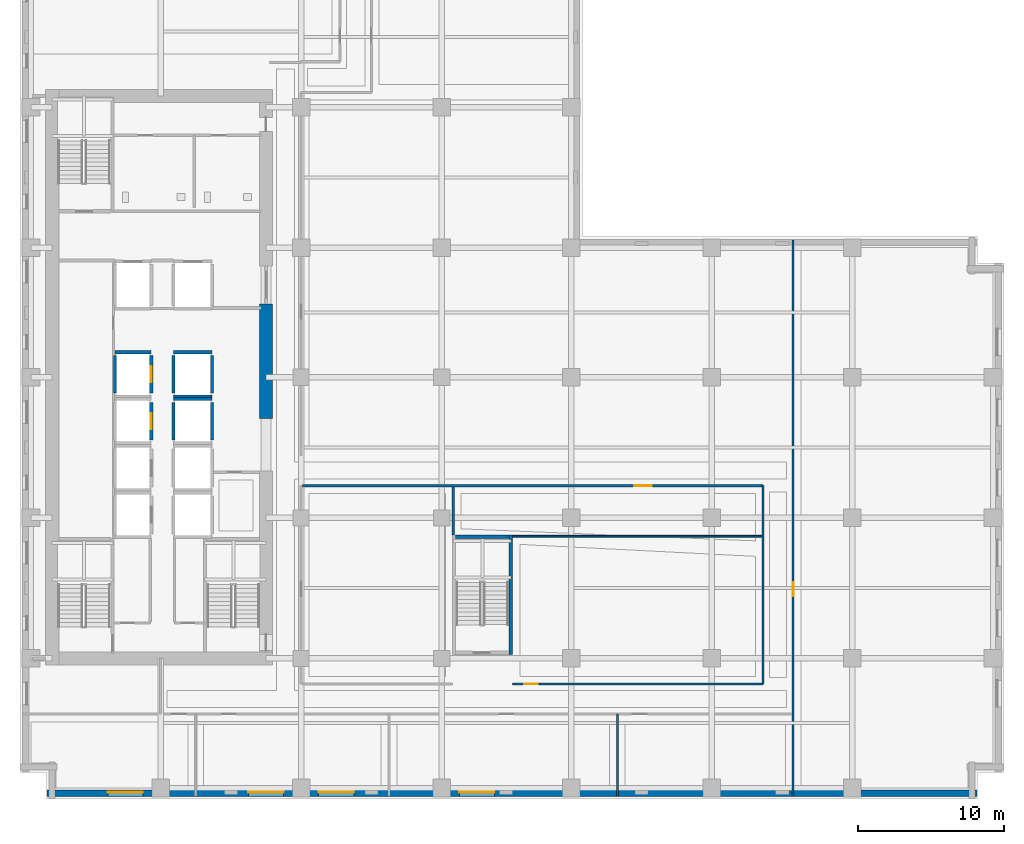
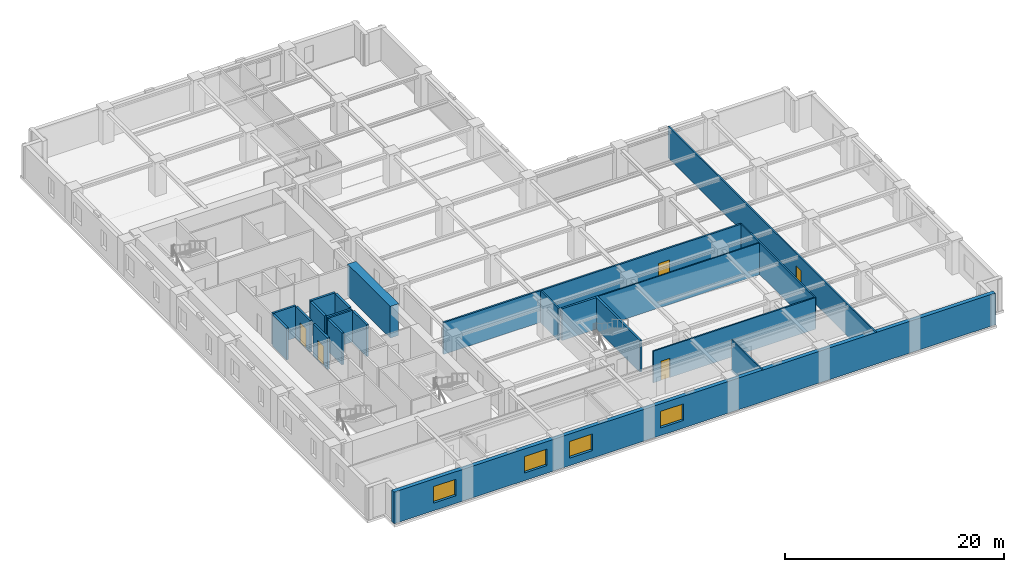
# One storey, part 5 of 13: 22 walls, 5 doors, 4 windows, 9 openings.
"""IFC4 building model written with IfcOpenShell, lengths in metres."""

from ifc_helpers import new_model, si_unit, direction, frame, frame_2d, origin, place, context, subcontext, project, spatial, rectangle, extrude, material, layer, layer_set, type_object, element, fill, save


model = new_model("IFC4")

# Units and contexts
model_context = context("Model", 3, precision=1e-05, world=origin(), true_north=direction((0.0, 1.0)))
body_context = subcontext(model_context, "Body", "Model", "MODEL_VIEW")
ifc_project = project(units=[si_unit("LENGTHUNIT", "METRE"), si_unit("AREAUNIT", "SQUARE_METRE"), si_unit("VOLUMEUNIT", "CUBIC_METRE"), si_unit("PLANEANGLEUNIT", "RADIAN"), si_unit("MASSUNIT", "GRAM", prefix="KILO")], contexts=[model_context])

# Site, building, storey
site_placement = place(None, origin())
site = spatial("IfcSite", under=ifc_project, at=site_placement, CompositionType="ELEMENT")
building_placement = place(site_placement, origin())
building = spatial("IfcBuilding", under=site, at=building_placement, Name="Norrvale University Quadrangle", CompositionType="ELEMENT")
storey_placement = place(building_placement, frame((0.0, 0.0, 43.199951171875)))
storey = spatial("IfcBuildingStorey", under=building, at=storey_placement, Name="L10", CompositionType="ELEMENT", Elevation=43.199951171875)

# Wall, openings, windows
ifc_material_1 = material(Name="Buff Norman Clay Brick Masonry", Category="masonry")
ifc_layer_1 = layer(ifc_material_1, 0.419921875, Name="Buff Norman Clay Brick Masonry")
ifc_layer_set_1 = layer_set([ifc_layer_1], Name="Buff Norman Clay Brick Masonry")
wall_type_1 = type_object("IfcWallType", Name="Wall Buff Brick 420", PredefinedType="SOLIDWALL", material=ifc_layer_set_1)
wall_1_placement = place(storey_placement, frame((1.840087890625, 0.389892578125, 0.0), z_axis=(0.0, 0.0, 1.0), x_axis=(1.0, 0.0, 0.0)))
wall_1 = element("IfcWall", 1, at=wall_1_placement, inside=storey, type_object=wall_type_1, Name="Exterior Brick Facade Wall L10-01.1", PredefinedType="SOLIDWALL", context=body_context, shape_type="SweptSolid", body=[
    extrude(rectangle(XDim=63.52001953125, YDim=0.419921875, at=frame_2d((31.760009765625, 0.0))), origin(), (0.0, 0.0, 1.0), 3.5400390625),
])
opening_1_placement = place(wall_1_placement, frame((4.159912109375, 0.0, 0.85009765625)))
opening_1 = element("IfcOpeningElement", 2, at=opening_1_placement, cuts=wall_1, Name="Opening W02", PredefinedType="OPENING", context=body_context, shape_type="SweptSolid", body=[
    extrude(rectangle(XDim=2.39990234375, YDim=1.85009765625, at=frame_2d((1.199951171875, 0.925048828125))), frame((0.0, 0.221923828125, 0.0), z_axis=(0.0, -1.0, 0.0), x_axis=(1.0, 0.0, 0.0)), (0.0, 0.0, 1.0), 0.44384765625),
])
opening_2_placement = place(wall_1_placement, frame((13.760009765625, 0.0, 0.85009765625)))
opening_2 = element("IfcOpeningElement", 3, at=opening_2_placement, cuts=wall_1, Name="Opening W02", PredefinedType="OPENING", context=body_context, shape_type="SweptSolid", body=[
    extrude(rectangle(XDim=2.39990234375, YDim=1.85009765625, at=frame_2d((1.199951171875, 0.925048828125))), frame((0.0, 0.221923828125, 0.0), z_axis=(0.0, -1.0, 0.0), x_axis=(1.0, 0.0, 0.0)), (0.0, 0.0, 1.0), 0.44384765625),
])
opening_3_placement = place(wall_1_placement, frame((18.56005859375, 0.0, 0.85009765625)))
opening_3 = element("IfcOpeningElement", 4, at=opening_3_placement, cuts=wall_1, Name="Opening W02", PredefinedType="OPENING", context=body_context, shape_type="SweptSolid", body=[
    extrude(rectangle(XDim=2.39990234375, YDim=1.85009765625, at=frame_2d((1.199951171875, 0.925048828125))), frame((0.0, 0.221923828125, 0.0), z_axis=(0.0, -1.0, 0.0), x_axis=(1.0, 0.0, 0.0)), (0.0, 0.0, 1.0), 0.44384765625),
])
opening_4_placement = place(wall_1_placement, frame((28.159912109375, 0.0, 0.85009765625)))
opening_4 = element("IfcOpeningElement", 5, at=opening_4_placement, cuts=wall_1, Name="Opening W02", PredefinedType="OPENING", context=body_context, shape_type="SweptSolid", body=[
    extrude(rectangle(XDim=2.39990234375, YDim=1.85009765625, at=frame_2d((1.199951171875, 0.925048828125))), frame((0.0, 0.221923828125, 0.0), z_axis=(0.0, -1.0, 0.0), x_axis=(1.0, 0.0, 0.0)), (0.0, 0.0, 1.0), 0.44384765625),
])
ifc_material_2 = material(Name="Triple Low-E Argon Glazing", Category="glass")
window_type = type_object("IfcWindowType", Name="Window Academic 2400x2300", PartitioningType="TRIPLE_PANEL_VERTICAL", PredefinedType="WINDOW", material=ifc_material_2)
window_1_placement = place(opening_1_placement, origin())
window_1 = element("IfcWindow", 6, at=window_1_placement, inside=storey, type_object=window_type, Name="Window Academic 2400x2300 WIN-L10-E01-1-01", OverallHeight=1.85009765625, OverallWidth=2.39990234375, PartitioningType="TRIPLE_PANEL_VERTICAL", PredefinedType="WINDOW", context=body_context, shape_type="SweptSolid", body=[
    extrude(rectangle(XDim=2.39990234375, YDim=1.85009765625, at=frame_2d((1.199951171875, 0.925048828125))), frame((0.0, 0.110107421875, 0.0), z_axis=(0.0, -1.0, 0.0), x_axis=(1.0, 0.0, 0.0)), (0.0, 0.0, 1.0), 0.06005859375),
])
fill(opening_1, window_1)
window_2_placement = place(opening_2_placement, origin())
window_2 = element("IfcWindow", 7, at=window_2_placement, inside=storey, type_object=window_type, Name="Window Academic 2400x2300 WIN-L10-E01-1-02", OverallHeight=1.85009765625, OverallWidth=2.39990234375, PartitioningType="TRIPLE_PANEL_VERTICAL", PredefinedType="WINDOW", context=body_context, shape_type="SweptSolid", body=[
    extrude(rectangle(XDim=2.39990234375, YDim=1.85009765625, at=frame_2d((1.199951171875, 0.925048828125))), frame((0.0, 0.110107421875, 0.0), z_axis=(0.0, -1.0, 0.0), x_axis=(1.0, 0.0, 0.0)), (0.0, 0.0, 1.0), 0.06005859375),
])
fill(opening_2, window_2)
window_3_placement = place(opening_3_placement, origin())
window_3 = element("IfcWindow", 8, at=window_3_placement, inside=storey, type_object=window_type, Name="Window Academic 2400x2300 WIN-L10-E01-1-03", OverallHeight=1.85009765625, OverallWidth=2.39990234375, PartitioningType="TRIPLE_PANEL_VERTICAL", PredefinedType="WINDOW", context=body_context, shape_type="SweptSolid", body=[
    extrude(rectangle(XDim=2.39990234375, YDim=1.85009765625, at=frame_2d((1.199951171875, 0.925048828125))), frame((0.0, 0.110107421875, 0.0), z_axis=(0.0, -1.0, 0.0), x_axis=(1.0, 0.0, 0.0)), (0.0, 0.0, 1.0), 0.06005859375),
])
fill(opening_3, window_3)
window_4_placement = place(opening_4_placement, origin())
window_4 = element("IfcWindow", 9, at=window_4_placement, inside=storey, type_object=window_type, Name="Window Academic 2400x2300 WIN-L10-E01-1-04", OverallHeight=1.85009765625, OverallWidth=2.39990234375, PartitioningType="TRIPLE_PANEL_VERTICAL", PredefinedType="WINDOW", context=body_context, shape_type="SweptSolid", body=[
    extrude(rectangle(XDim=2.39990234375, YDim=1.85009765625, at=frame_2d((1.199951171875, 0.925048828125))), frame((0.0, 0.110107421875, 0.0), z_axis=(0.0, -1.0, 0.0), x_axis=(1.0, 0.0, 0.0)), (0.0, 0.0, 1.0), 0.06005859375),
])
fill(opening_4, window_4)

# Walls
ifc_material_3 = material(Name="Concrete C80/95", Category="concrete")
ifc_layer_2 = layer(ifc_material_3, 0.89990234375, Name="Concrete C80/95")
ifc_layer_set_2 = layer_set([ifc_layer_2], Name="Concrete C80/95")
wall_type_2 = type_object("IfcWallType", Name="Wall Core 900", PredefinedType="SHEAR", material=ifc_layer_set_2)
wall_2_placement = place(storey_placement, frame((16.800048828125, 26.0, 0.0), z_axis=(0.0, 0.0, 1.0), x_axis=(0.0, 1.0, 0.0)))
element("IfcWall", 10, at=wall_2_placement, inside=storey, type_object=wall_type_2, Name="Tower Core Shear Wall L10-E2", PredefinedType="SHEAR", context=body_context, shape_type="SweptSolid", body=[
    extrude(rectangle(XDim=7.800048828125, YDim=0.89990234375, at=frame_2d((3.89990234375, 0.0))), origin(), (0.0, 0.0, 1.0), 3.5400390625),
])
ifc_material_4 = material(Name="Standard Academic Gypsum Partition")
ifc_layer_3 = layer(ifc_material_4, 0.125, Name="Standard Academic Gypsum Partition")
ifc_layer_set_3 = layer_set([ifc_layer_3], Name="Standard Academic Gypsum Partition")
wall_type_3 = type_object("IfcWallType", Name="Wall Gypsum Academic 125", PredefinedType="PARTITIONING", material=ifc_layer_set_3)
wall_3_placement = place(storey_placement, frame((40.800048828125, 0.219970703125, 0.0), z_axis=(0.0, 0.0, 1.0), x_axis=(0.0, 1.0, 0.0)))
element("IfcWall", 11, at=wall_3_placement, inside=storey, type_object=wall_type_3, Name="Interior Partition WL-L10-SP03", PredefinedType="PARTITIONING", context=body_context, shape_type="SweptSolid", body=[
    extrude(rectangle(XDim=5.580078125, YDim=0.125, at=frame_2d((2.7900390625, 0.0))), origin(), (0.0, 0.0, 1.0), 3.5400390625),
])
wall_4_placement = place(storey_placement, frame((33.6201171875, 17.93994140625, 0.0), z_axis=(0.0, 0.0, 1.0), x_axis=(1.0, 0.0, 0.0)))
element("IfcWall", 12, at=wall_4_placement, inside=storey, type_object=wall_type_3, Name="Interior Partition WL-L10-ISLH", PredefinedType="PARTITIONING", context=body_context, shape_type="SweptSolid", body=[
    extrude(rectangle(XDim=17.1298828125, YDim=0.125, at=frame_2d((8.56494140625, 0.0))), origin(), (0.0, 0.0, 1.0), 3.5400390625),
])

# Wall, opening, door
ifc_material_5 = material(Name="Fire-Rated Gypsum Stud Partition")
ifc_layer_4 = layer(ifc_material_5, 0.14990234375, Name="Fire-Rated Gypsum Stud Partition")
ifc_layer_set_4 = layer_set([ifc_layer_4], Name="Fire-Rated Gypsum Stud Partition")
wall_type_4 = type_object("IfcWallType", Name="Wall Gypsum Corridor 150", PredefinedType="PARTITIONING", material=ifc_layer_set_4)
wall_5_placement = place(storey_placement, frame((52.800048828125, 0.219970703125, 0.0), z_axis=(0.0, 0.0, 1.0), x_axis=(0.0, 1.0, 0.0)))
wall_5 = element("IfcWall", 13, at=wall_5_placement, inside=storey, type_object=wall_type_4, Name="Interior Partition WL-L10-ECW", PredefinedType="PARTITIONING", context=body_context, shape_type="SweptSolid", body=[
    extrude(rectangle(XDim=37.9599609375, YDim=0.14990234375, at=frame_2d((18.97998046875, 0.0))), origin(), (0.0, 0.0, 1.0), 3.5400390625),
])
opening_5_placement = place(wall_5_placement, frame((13.6298828125, 0.0, 0.0)))
opening_5 = element("IfcOpeningElement", 14, at=opening_5_placement, cuts=wall_5, Name="Opening D07", PredefinedType="OPENING", context=body_context, shape_type="SweptSolid", body=[
    extrude(rectangle(XDim=0.949951171875, YDim=2.14990234375, at=frame_2d((0.47509765625, 1.074951171875))), frame((0.0, 0.0869140625, 0.0), z_axis=(0.0, -1.0, 0.0), x_axis=(1.0, 0.0, 0.0)), (0.0, 0.0, 1.0), 0.173828125),
])
ifc_material_6 = material(Name="Solid-Core Maple Door", Category="wood")
door_type_1 = type_object("IfcDoorType", Name="Door Office 950x2150", OperationType="NOTDEFINED", PredefinedType="DOOR", material=ifc_material_6)
door_1_placement = place(opening_5_placement, origin())
door_1 = element("IfcDoor", 15, at=door_1_placement, inside=storey, type_object=door_type_1, Name="Door Office 950x2150 DR-L10-E01", OperationType="SINGLE_SWING_RIGHT", OverallHeight=2.14990234375, OverallWidth=0.949951171875, PredefinedType="DOOR", context=body_context, shape_type="SweptSolid", body=[
    extrude(rectangle(XDim=0.949951171875, YDim=2.14990234375, at=frame_2d((0.47509765625, 1.074951171875))), frame((0.0, 0.02490234375, 0.0), z_axis=(0.0, -1.0, 0.0), x_axis=(1.0, 0.0, 0.0)), (0.0, 0.0, 1.0), 0.050048828125),
])
fill(opening_5, door_1)

wall_6_placement = place(storey_placement, frame((33.6201171875, 7.85009765625, 0.0), z_axis=(0.0, 0.0, 1.0), x_axis=(1.0, 0.0, 0.0)))
wall_6 = element("IfcWall", 16, at=wall_6_placement, inside=storey, type_object=wall_type_4, Name="Interior Partition WL-L10-ISLS2", PredefinedType="PARTITIONING", context=body_context, shape_type="SweptSolid", body=[
    extrude(rectangle(XDim=17.1298828125, YDim=0.14990234375, at=frame_2d((8.56494140625, 0.0))), origin(), (0.0, 0.0, 1.0), 3.5400390625),
])
opening_6_placement = place(wall_6_placement, frame((0.800048828125, 0.0, 0.0)))
opening_6 = element("IfcOpeningElement", 17, at=opening_6_placement, cuts=wall_6, Name="Opening D07", PredefinedType="OPENING", context=body_context, shape_type="SweptSolid", body=[
    extrude(rectangle(XDim=0.949951171875, YDim=2.14990234375, at=frame_2d((0.47509765625, 1.074951171875))), frame((0.0, 0.0869140625, 0.0), z_axis=(0.0, -1.0, 0.0), x_axis=(1.0, 0.0, 0.0)), (0.0, 0.0, 1.0), 0.173828125),
])
door_2_placement = place(opening_6_placement, origin())
door_2 = element("IfcDoor", 18, at=door_2_placement, inside=storey, type_object=door_type_1, Name="Door Office 950x2150 DR-L10-ISE", OperationType="SINGLE_SWING_LEFT", OverallHeight=2.14990234375, OverallWidth=0.949951171875, PredefinedType="DOOR", context=body_context, shape_type="SweptSolid", body=[
    extrude(rectangle(XDim=0.949951171875, YDim=2.14990234375, at=frame_2d((0.47509765625, 1.074951171875))), frame((0.0, 0.02490234375, 0.0), z_axis=(0.0, -1.0, 0.0), x_axis=(1.0, 0.0, 0.0)), (0.0, 0.0, 1.0), 0.050048828125),
])
fill(opening_6, door_2)

# Walls
wall_7_placement = place(storey_placement, frame((50.75, 7.85009765625, 0.0), z_axis=(0.0, 0.0, 1.0), x_axis=(0.0, 1.0, 0.0)))
element("IfcWall", 19, at=wall_7_placement, inside=storey, type_object=wall_type_4, Name="Interior Partition WL-L10-ISLE", PredefinedType="PARTITIONING", context=body_context, shape_type="SweptSolid", body=[
    extrude(rectangle(XDim=13.5498046875, YDim=0.14990234375, at=frame_2d((6.77490234375, 0.0))), origin(), (0.0, 0.0, 1.0), 3.5400390625),
])
ifc_material_7 = material(Name="Acoustic Double-Stud Gypsum Partition")
ifc_layer_5 = layer(ifc_material_7, 0.179931640625, Name="Acoustic Double-Stud Gypsum Partition")
ifc_layer_set_5 = layer_set([ifc_layer_5], Name="Acoustic Double-Stud Gypsum Partition")
wall_type_5 = type_object("IfcWallType", Name="Wall Gypsum Lecture 180", PredefinedType="PARTITIONING", material=ifc_layer_set_5)
wall_8_placement = place(storey_placement, frame((29.580078125, 18.02490234375, 0.0), z_axis=(0.0, 0.0, 1.0), x_axis=(0.0, 1.0, 0.0)))
element("IfcWall", 20, at=wall_8_placement, inside=storey, type_object=wall_type_5, Name="Interior Partition WL-L10-ISLD", PredefinedType="PARTITIONING", context=body_context, shape_type="SweptSolid", body=[
    extrude(rectangle(XDim=3.280029296875, YDim=0.179931640625, at=frame_2d((1.64013671875, 0.0))), origin(), (0.0, 0.0, 1.0), 3.5400390625),
])

# Wall, opening, door
wall_9_placement = place(storey_placement, frame((19.280029296875, 21.39990234375, 0.0), z_axis=(0.0, 0.0, 1.0), x_axis=(1.0, 0.0, 0.0)))
wall_9 = element("IfcWall", 21, at=wall_9_placement, inside=storey, type_object=wall_type_5, Name="Interior Partition WL-L10-ISLN", PredefinedType="PARTITIONING", context=body_context, shape_type="SweptSolid", body=[
    extrude(rectangle(XDim=31.469970703125, YDim=0.179931640625, at=frame_2d((15.73486328125, 0.0))), origin(), (0.0, 0.0, 1.0), 3.5400390625),
])
opening_7_placement = place(wall_9_placement, frame((22.669921875, 0.0, 0.0)))
opening_7 = element("IfcOpeningElement", 22, at=opening_7_placement, cuts=wall_9, Name="Opening D05", PredefinedType="OPENING", context=body_context, shape_type="SweptSolid", body=[
    extrude(rectangle(XDim=1.199951171875, YDim=2.199951171875, at=frame_2d((0.60009765625, 1.10009765625))), frame((0.0, 0.10205078125, 0.0), z_axis=(0.0, -1.0, 0.0), x_axis=(1.0, 0.0, 0.0)), (0.0, 0.0, 1.0), 0.203857421875),
])
ifc_material_8 = material(Name="Acoustic Oak Classroom Door", Category="wood")
door_type_2 = type_object("IfcDoorType", Name="Door Classroom 1200x2200", OperationType="NOTDEFINED", PredefinedType="DOOR", material=ifc_material_8)
door_3_placement = place(opening_7_placement, origin())
door_3 = element("IfcDoor", 23, at=door_3_placement, inside=storey, type_object=door_type_2, Name="Door Classroom 1200x2200 DR-L10-ILH", OperationType="SINGLE_SWING_RIGHT", OverallHeight=2.199951171875, OverallWidth=1.199951171875, PredefinedType="DOOR", context=body_context, shape_type="SweptSolid", body=[
    extrude(rectangle(XDim=1.199951171875, YDim=2.199951171875, at=frame_2d((0.60009765625, 1.10009765625))), frame((0.0, 0.02490234375, 0.0), z_axis=(0.0, -1.0, 0.0), x_axis=(1.0, 0.0, 0.0)), (0.0, 0.0, 1.0), 0.050048828125),
])
fill(opening_7, door_3)

# Walls
ifc_material_9 = material(Name="Concrete Blockwork 20 MPa Fire Shaft", Category="masonry")
ifc_layer_6 = layer(ifc_material_9, 0.219970703125, Name="Concrete Blockwork 20 MPa Fire Shaft")
ifc_layer_set_6 = layer_set([ifc_layer_6], Name="Concrete Blockwork 20 MPa Fire Shaft")
wall_type_6 = type_object("IfcWallType", Name="Wall Shaft 220", PredefinedType="SOLIDWALL", material=ifc_layer_set_6)
wall_10_placement = place(storey_placement, frame((33.510009765625, 9.8798828125, 0.0), z_axis=(0.0, 0.0, 1.0), x_axis=(0.0, 1.0, 0.0)))
element("IfcWall", 24, at=wall_10_placement, inside=storey, type_object=wall_type_6, Name="Stair ST-04 East Shaft Wall L10", PredefinedType="SOLIDWALL", context=body_context, shape_type="SweptSolid", body=[
    extrude(rectangle(XDim=8.14013671875, YDim=0.219970703125, at=frame_2d((4.070068359375, 0.0))), origin(), (0.0, 0.0, 1.0), 3.5400390625),
])
wall_11_placement = place(storey_placement, frame((29.75, 17.909912109375, 0.0), z_axis=(0.0, 0.0, 1.0), x_axis=(1.0, 0.0, 0.0)))
element("IfcWall", 25, at=wall_11_placement, inside=storey, type_object=wall_type_6, Name="Stair ST-04 North Shaft Wall L10", PredefinedType="SOLIDWALL", context=body_context, shape_type="SweptSolid", body=[
    extrude(rectangle(XDim=3.64990234375, YDim=0.219970703125, at=frame_2d((1.824951171875, 0.0))), origin(), (0.0, 0.0, 1.0), 3.5400390625),
])

# Wall, opening, door
wall_12_placement = place(storey_placement, frame((8.9599609375, 24.510009765625, 0.0), z_axis=(0.0, 0.0, 1.0), x_axis=(0.0, 1.0, 0.0)))
wall_12 = element("IfcWall", 26, at=wall_12_placement, inside=storey, type_object=wall_type_6, Name="Hoistway PL-03 East Wall L10", PredefinedType="SOLIDWALL", context=body_context, shape_type="SweptSolid", body=[
    extrude(rectangle(XDim=2.580078125, YDim=0.219970703125, at=frame_2d((1.2900390625, 0.0))), origin(), (0.0, 0.0, 1.0), 3.5400390625),
])
opening_8_placement = place(wall_12_placement, frame((0.739990234375, 0.0, 0.0)))
opening_8 = element("IfcOpeningElement", 27, at=opening_8_placement, cuts=wall_12, Name="Opening LD1", PredefinedType="OPENING", context=body_context, shape_type="SweptSolid", body=[
    extrude(rectangle(XDim=1.10009765625, YDim=2.199951171875, at=frame_2d((0.550048828125, 1.10009765625))), frame((0.0, 0.1220703125, 0.0), z_axis=(0.0, -1.0, 0.0), x_axis=(1.0, 0.0, 0.0)), (0.0, 0.0, 1.0), 0.243896484375),
])
ifc_material_10 = material(Name="Stainless Steel 316L Lift Landing Door", Category="steel")
door_type_3 = type_object("IfcDoorType", Name="Door Lift Landing 1100x2200", OperationType="DOUBLE_DOOR_SLIDING", PredefinedType="DOOR", material=ifc_material_10)
door_4_placement = place(opening_8_placement, origin())
door_4 = element("IfcDoor", 28, at=door_4_placement, inside=storey, type_object=door_type_3, Name="Elevator Landing Door DR-L10-PL-03", OperationType="DOUBLE_DOOR_SLIDING", OverallHeight=2.199951171875, OverallWidth=1.10009765625, PredefinedType="DOOR", context=body_context, shape_type="SweptSolid", body=[
    extrude(rectangle(XDim=1.10009765625, YDim=2.199951171875, at=frame_2d((0.550048828125, 1.10009765625))), frame((0.0, 0.02490234375, 0.0), z_axis=(0.0, -1.0, 0.0), x_axis=(1.0, 0.0, 0.0)), (0.0, 0.0, 1.0), 0.050048828125),
])
fill(opening_8, door_4)

# Wall
wall_13_placement = place(storey_placement, frame((6.489990234375, 27.7099609375, 0.0), z_axis=(0.0, 0.0, 1.0), x_axis=(0.0, 1.0, 0.0)))
element("IfcWall", 29, at=wall_13_placement, inside=storey, type_object=wall_type_6, Name="Hoistway PL-04 West Wall L10", PredefinedType="SOLIDWALL", context=body_context, shape_type="SweptSolid", body=[
    extrude(rectangle(XDim=2.580078125, YDim=0.219970703125, at=frame_2d((1.2900390625, 0.0))), origin(), (0.0, 0.0, 1.0), 3.5400390625),
])

# Wall, opening, door
wall_14_placement = place(storey_placement, frame((8.9599609375, 27.7099609375, 0.0), z_axis=(0.0, 0.0, 1.0), x_axis=(0.0, 1.0, 0.0)))
wall_14 = element("IfcWall", 30, at=wall_14_placement, inside=storey, type_object=wall_type_6, Name="Hoistway PL-04 East Wall L10", PredefinedType="SOLIDWALL", context=body_context, shape_type="SweptSolid", body=[
    extrude(rectangle(XDim=2.580078125, YDim=0.219970703125, at=frame_2d((1.2900390625, 0.0))), origin(), (0.0, 0.0, 1.0), 3.5400390625),
])
opening_9_placement = place(wall_14_placement, frame((0.739990234375, 0.0, 0.0)))
opening_9 = element("IfcOpeningElement", 31, at=opening_9_placement, cuts=wall_14, Name="Opening LD1", PredefinedType="OPENING", context=body_context, shape_type="SweptSolid", body=[
    extrude(rectangle(XDim=1.10009765625, YDim=2.199951171875, at=frame_2d((0.550048828125, 1.10009765625))), frame((0.0, 0.1220703125, 0.0), z_axis=(0.0, -1.0, 0.0), x_axis=(1.0, 0.0, 0.0)), (0.0, 0.0, 1.0), 0.243896484375),
])
door_5_placement = place(opening_9_placement, origin())
door_5 = element("IfcDoor", 32, at=door_5_placement, inside=storey, type_object=door_type_3, Name="Elevator Landing Door DR-L10-PL-04", OperationType="DOUBLE_DOOR_SLIDING", OverallHeight=2.199951171875, OverallWidth=1.10009765625, PredefinedType="DOOR", context=body_context, shape_type="SweptSolid", body=[
    extrude(rectangle(XDim=1.10009765625, YDim=2.199951171875, at=frame_2d((0.550048828125, 1.10009765625))), frame((0.0, 0.02490234375, 0.0), z_axis=(0.0, -1.0, 0.0), x_axis=(1.0, 0.0, 0.0)), (0.0, 0.0, 1.0), 0.050048828125),
])
fill(opening_9, door_5)

# Walls
wall_15_placement = place(storey_placement, frame((6.489990234375, 30.510009765625, 0.0), z_axis=(0.0, 0.0, 1.0), x_axis=(1.0, 0.0, 0.0)))
element("IfcWall", 33, at=wall_15_placement, inside=storey, type_object=wall_type_6, Name="Hoistway PL-04 North Wall L10", PredefinedType="SOLIDWALL", context=body_context, shape_type="SweptSolid", body=[
    extrude(rectangle(XDim=2.469970703125, YDim=0.219970703125, at=frame_2d((1.23486328125, 0.0))), origin(), (0.0, 0.0, 1.0), 3.5400390625),
])
for number, where, z_axis, x_axis, name in (
    (34, (10.489990234375, 24.510009765625, 0.0), (0.0, 0.0, 1.0), (0.0, 1.0, 0.0), "Hoistway PL-07 West Wall L10"),
    (35, (13.110107421875, 24.510009765625, 0.0), (0.0, 0.0, 1.0), (0.0, 1.0, 0.0), "Hoistway PL-07 East Wall L10"),
):
    element("IfcWall", number, at=place(storey_placement, frame(where, z_axis=z_axis, x_axis=x_axis)), inside=storey, type_object=wall_type_6, Name=name, PredefinedType="SOLIDWALL", context=body_context, shape_type="SweptSolid", body=[
        extrude(rectangle(XDim=2.580078125, YDim=0.219970703125, at=frame_2d((1.2900390625, 0.0))), origin(), (0.0, 0.0, 1.0), 3.5400390625),
    ])
wall_16_placement = place(storey_placement, frame((10.489990234375, 27.31005859375, 0.0), z_axis=(0.0, 0.0, 1.0), x_axis=(1.0, 0.0, 0.0)))
element("IfcWall", 36, at=wall_16_placement, inside=storey, type_object=wall_type_6, Name="Hoistway PL-07 North Wall L10", PredefinedType="SOLIDWALL", context=body_context, shape_type="SweptSolid", body=[
    extrude(rectangle(XDim=2.6201171875, YDim=0.219970703125, at=frame_2d((1.31005859375, 0.0))), origin(), (0.0, 0.0, 1.0), 3.5400390625),
])
for number, where, z_axis, x_axis, name in (
    (37, (10.489990234375, 27.7099609375, 0.0), (0.0, 0.0, 1.0), (0.0, 1.0, 0.0), "Hoistway PL-08 West Wall L10"),
    (38, (13.110107421875, 27.7099609375, 0.0), (0.0, 0.0, 1.0), (0.0, 1.0, 0.0), "Hoistway PL-08 East Wall L10"),
):
    element("IfcWall", number, at=place(storey_placement, frame(where, z_axis=z_axis, x_axis=x_axis)), inside=storey, type_object=wall_type_6, Name=name, PredefinedType="SOLIDWALL", context=body_context, shape_type="SweptSolid", body=[
        extrude(rectangle(XDim=2.580078125, YDim=0.219970703125, at=frame_2d((1.2900390625, 0.0))), origin(), (0.0, 0.0, 1.0), 3.5400390625),
    ])
for number, where, z_axis, x_axis, name in (
    (39, (10.489990234375, 27.489990234375, 0.0), (0.0, 0.0, 1.0), (1.0, 0.0, 0.0), "Hoistway PL-08 South Wall L10"),
    (40, (10.489990234375, 30.510009765625, 0.0), (0.0, 0.0, 1.0), (1.0, 0.0, 0.0), "Hoistway PL-08 North Wall L10"),
):
    element("IfcWall", number, at=place(storey_placement, frame(where, z_axis=z_axis, x_axis=x_axis)), inside=storey, type_object=wall_type_6, Name=name, PredefinedType="SOLIDWALL", context=body_context, shape_type="SweptSolid", body=[
        extrude(rectangle(XDim=2.6201171875, YDim=0.219970703125, at=frame_2d((1.31005859375, 0.0))), origin(), (0.0, 0.0, 1.0), 3.5400390625),
    ])

save(model, "model.ifc")
